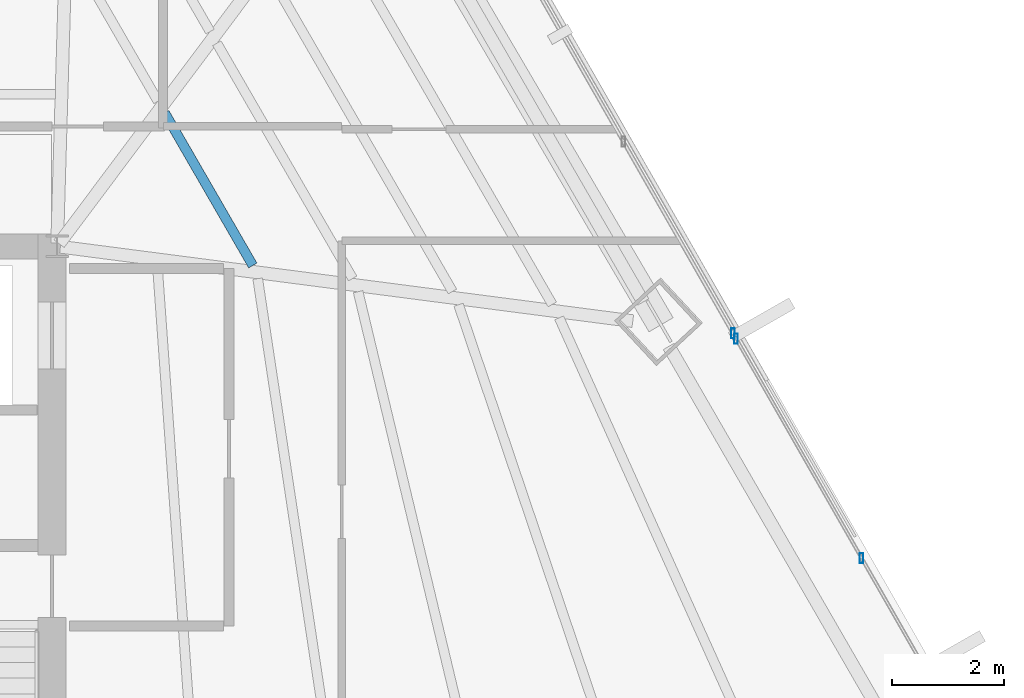
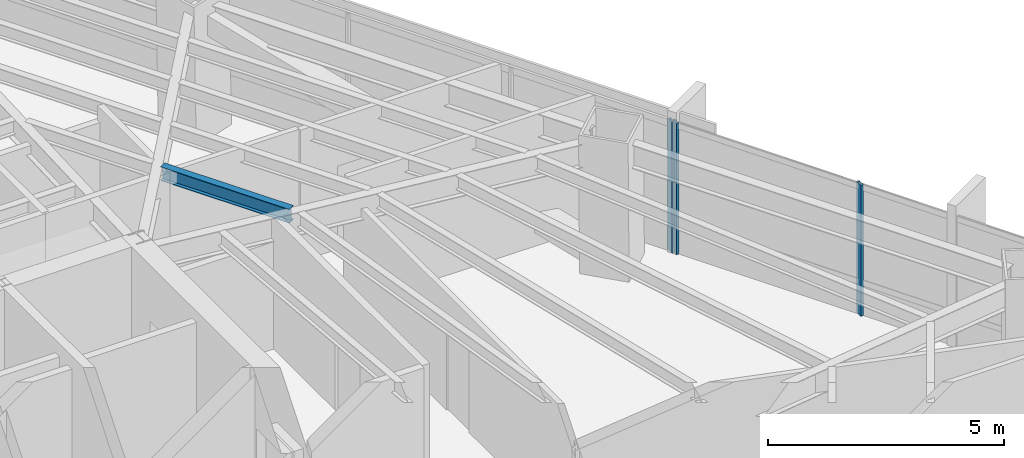
# One storey, part 21 of 36: 3 members, 1 beam, 2 elements without a shape of their own.
"""IFC4 building model written with IfcOpenShell, lengths in metres."""

from ifc_helpers import new_model, si_unit, direction, frame, origin, origin_2d, place, context, subcontext, project, spatial, hollow_rectangle, i_section, extrude, source, transform, mapped, material, material_profile, profile_set, type_object, type_shapes, element, aggregate, save


model = new_model("IFC4")

# Units and contexts
model_context = context("Model", 3, precision=1e-05, world=origin(), true_north=direction((0.0, 1.0)))
body_context = subcontext(model_context, "Body", "Model", "MODEL_VIEW")
ifc_project = project(units=[si_unit("LENGTHUNIT", "METRE"), si_unit("AREAUNIT", "SQUARE_METRE"), si_unit("VOLUMEUNIT", "CUBIC_METRE"), si_unit("PLANEANGLEUNIT", "RADIAN"), si_unit("MASSUNIT", "GRAM", prefix="KILO")], contexts=[model_context])

# Site, building, storey
site_placement = place(None, origin())
site = spatial("IfcSite", under=ifc_project, at=site_placement, CompositionType="ELEMENT")
building_placement = place(site_placement, origin())
building = spatial("IfcBuilding", under=site, at=building_placement, Name="Caelisora Broadcast Tower", CompositionType="ELEMENT")
storey_placement = place(building_placement, frame((0.0, 0.0, 79.85009765625)))
storey = spatial("IfcBuildingStorey", under=building, at=storey_placement, Name="L20", CompositionType="ELEMENT", Elevation=79.85009765625)

# Beam
ifc_material_1 = material(Name="Steel Grade 350 (AS/NZS 3679.1)", Category="steel")
ifc_material_profile_1 = material_profile(ifc_material_1, i_section(OverallWidth=0.172119140625, OverallDepth=0.358642578125, WebThickness=0.008056640625, FlangeThickness=0.012939453125, at=origin_2d()), Name="Steel Grade 350 (AS/NZS 3679.1)")
ifc_profile_set_1 = profile_set([ifc_material_profile_1], Name="Steel Grade 350 (AS/NZS 3679.1)")
beam_type = type_object("IfcBeamType", Name="SB02", PredefinedType="JOIST", material=ifc_profile_set_1)
shared_shape_1 = source(origin(), body_context, "Body", "SweptSolid", [
    extrude(i_section(OverallWidth=0.172119140625, OverallDepth=0.358642578125, WebThickness=0.008056640625, FlangeThickness=0.012939453125, at=origin_2d()), origin(), (0.0, 0.0, 1.0), 3.1572265625),
])
type_shapes(beam_type, [shared_shape_1])
beam_placement = place(storey_placement, frame((49.00732421875, 29.65673828125, 3.220703125), z_axis=(-0.499981267118, 0.866036218949, 0.0), x_axis=(-0.866036218949, -0.499981267118, 0.0)))
element("IfcBeam", 1, at=beam_placement, inside=storey, type_object=beam_type, Name="L20 beam SB02", PredefinedType="JOIST", context=body_context, shape_type="MappedRepresentation", body=[
    mapped(shared_shape_1, transform((0.0, 0.0, 0.0), scale=1.0)),
])

# Curtain wall, member
ifc_material_2 = material(Name="Unitised Aluminium Insulated Shadow-Box Spandrel Curtain Wall", Category="aluminium")
curtain_wall_type_1 = type_object("IfcCurtainWallType", Name="CW-SP1", PredefinedType="NOTDEFINED", material=ifc_material_2)
curtain_wall_1_placement = place(storey_placement, origin())
curtain_wall_1 = element("IfcCurtainWall", 2, at=curtain_wall_1_placement, inside=storey, type_object=curtain_wall_type_1, Name="L20 curtain wall CW-SP1", PredefinedType="NOTDEFINED")
ifc_material_3 = material(Name="Aluminium 6063-T6 Anodised Terracotta Bronze", Category="aluminium")
ifc_material_profile_2 = material_profile(ifc_material_3, hollow_rectangle(XDim=0.06494140625, YDim=0.179931640625, WallThickness=0.00341796875, at=origin_2d()), Name="Aluminium 6063-T6 Anodised Terracotta Bronze")
ifc_profile_set_2 = profile_set([ifc_material_profile_2], Name="Aluminium 6063-T6 Anodised Terracotta Bronze")
member_type = type_object("IfcMemberType", Name="CWM-02", PredefinedType="MULLION", material=ifc_profile_set_2)
shared_shape_2 = source(origin(), body_context, "Body", "SweptSolid", [
    extrude(hollow_rectangle(XDim=0.06494140625, YDim=0.179931640625, WallThickness=0.00341796875, at=origin_2d()), origin(), (0.0, 0.0, 1.0), 3.39990234375),
])
type_shapes(member_type, [shared_shape_2])
member_1_placement = place(storey_placement, frame((57.613525390625, 28.440673828125, 0.0), z_axis=(0.0, 0.0, 1.0), x_axis=(1.0, 0.0, 0.0)))
member_1 = element("IfcMember", 3, at=member_1_placement, type_object=member_type, Name="L20-CW-B02 mullion #3", PredefinedType="MULLION", context=body_context, shape_type="MappedRepresentation", body=[
    mapped(shared_shape_2, transform((0.0, 0.0, 0.0), scale=1.0)),
])
aggregate(curtain_wall_1, [member_1])

# Curtain wall, members
ifc_material_4 = material(Name="Unitised Aluminium and Low-E Glass Curtain Wall", Category="glass")
curtain_wall_type_2 = type_object("IfcCurtainWallType", Name="CW-Z2", PredefinedType="NOTDEFINED", material=ifc_material_4)
curtain_wall_2_placement = place(storey_placement, origin())
curtain_wall_2 = element("IfcCurtainWall", 4, at=curtain_wall_2_placement, inside=storey, type_object=curtain_wall_type_2, Name="L20 curtain wall CW-Z2", PredefinedType="NOTDEFINED")
member_2_placement = place(storey_placement, frame((57.668212890625, 28.34521484375, 0.0), z_axis=(0.0, 0.0, 1.0), x_axis=(1.0, 0.0, 0.0)))
member_2 = element("IfcMember", 5, at=member_2_placement, type_object=member_type, Name="L20-CW-B03 mullion #0", PredefinedType="MULLION", context=body_context, shape_type="MappedRepresentation", body=[
    mapped(shared_shape_2, transform((0.0, 0.0, 0.0), scale=1.0)),
])
member_3_placement = place(storey_placement, frame((59.917236328125, 24.4140625, 0.0), z_axis=(0.0, 0.0, 1.0), x_axis=(1.0, 0.0, 0.0)))
member_3 = element("IfcMember", 6, at=member_3_placement, type_object=member_type, Name="L20-CW-B03 mullion #1", PredefinedType="MULLION", context=body_context, shape_type="MappedRepresentation", body=[
    mapped(shared_shape_2, transform((0.0, 0.0, 0.0), scale=1.0)),
])
aggregate(curtain_wall_2, [member_2, member_3])

save(model, "model.ifc")
